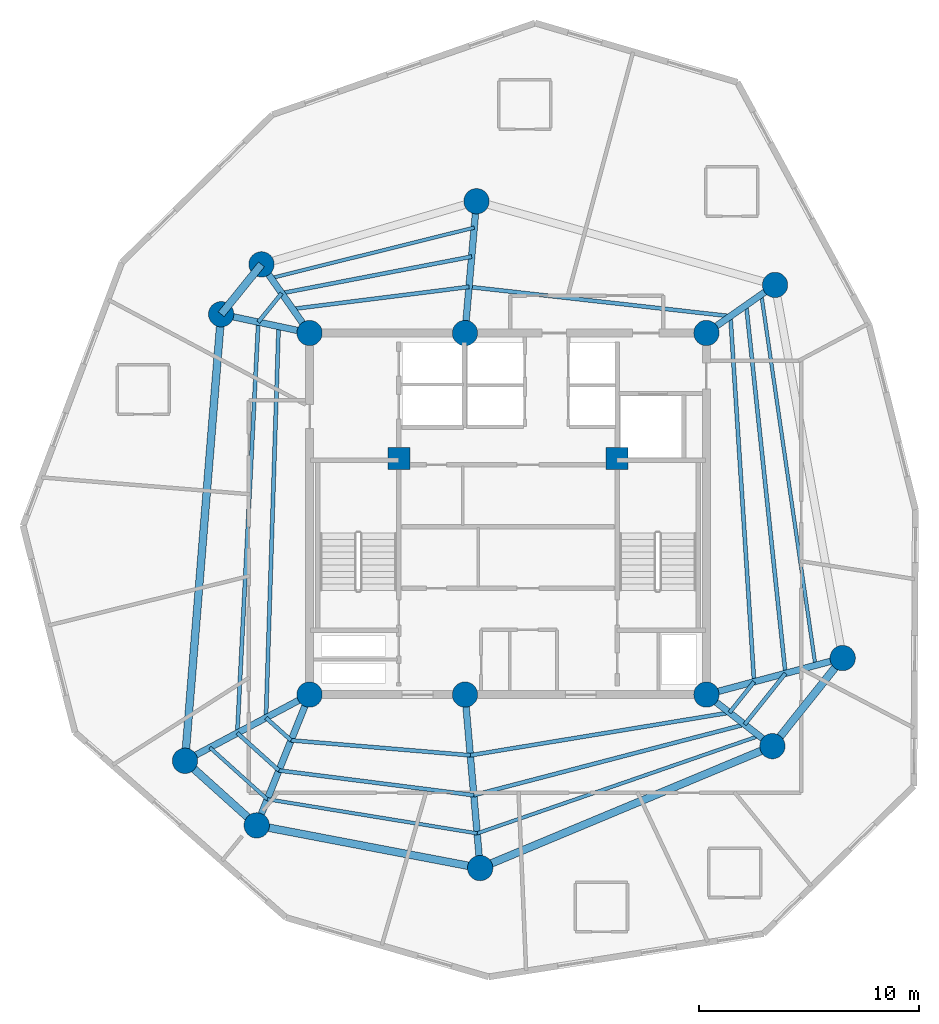
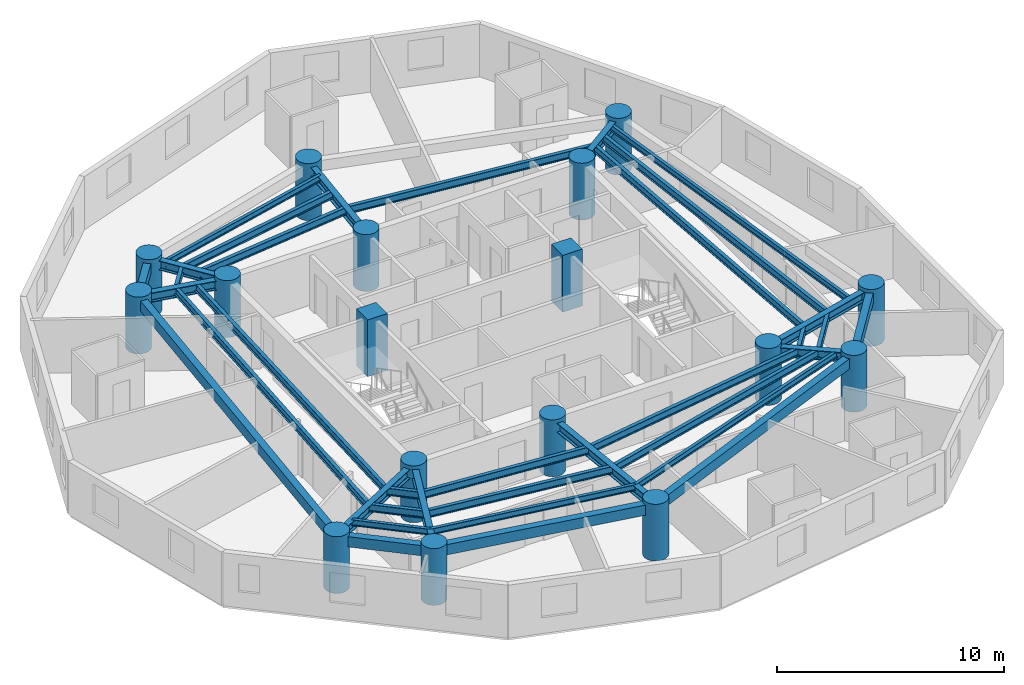
# One storey, part 1 of 7: 36 beams, 17 columns.
"""IFC4 building model written with IfcOpenShell, lengths in metres."""

from ifc_helpers import new_model, si_unit, direction, frame, origin, origin_with_axes, origin_2d, place, context, subcontext, project, spatial, rectangle, circle, i_section, extrude, source, transform, mapped, material, material_profile, profile_set, type_object, element, save


model = new_model("IFC4")

# Units and contexts
model_context = context("Model", 3, precision=1e-05, world=origin(), true_north=direction((0.0, 1.0)))
body_context = subcontext(model_context, "Body", "Model", "MODEL_VIEW")
ifc_project = project(units=[si_unit("LENGTHUNIT", "METRE"), si_unit("AREAUNIT", "SQUARE_METRE"), si_unit("VOLUMEUNIT", "CUBIC_METRE"), si_unit("PLANEANGLEUNIT", "RADIAN"), si_unit("MASSUNIT", "GRAM", prefix="KILO")], contexts=[model_context])

# Site, building, storey
site_placement = place(None, origin())
site = spatial("IfcSite", under=ifc_project, at=site_placement, CompositionType="ELEMENT")
building_placement = place(site_placement, origin())
building = spatial("IfcBuilding", under=site, at=building_placement, Name="Karkom Vertical University and Central Library", CompositionType="ELEMENT")
storey_placement = place(building_placement, frame((0.0, 0.0, 223.0)))
storey = spatial("IfcBuildingStorey", under=building, at=storey_placement, Name="L65", CompositionType="ELEMENT", Elevation=223.0)

# Columns
ifc_material_1 = material(Name="Concrete C50/60", Category="concrete")
ifc_material_profile_1 = material_profile(ifc_material_1, rectangle(XDim=1.0, YDim=1.0, at=origin_2d()), Name="RC-1000x1000")
ifc_profile_set_1 = profile_set([ifc_material_profile_1], Name="Concrete C50/60")
column_type_1 = type_object("IfcColumnType", Name="STR-COL-C-CC2", PredefinedType="COLUMN", material=ifc_profile_set_1)
shared_shape_1 = source(origin_with_axes(), body_context, "Body", "SweptSolid", [
    extrude(rectangle(XDim=1.0, YDim=1.0, at=origin_2d()), origin(), (0.0, 0.0, 1.0), 3.050048828125),
])
for number, where, z_axis, x_axis, name in (
    (1, (23.550048828125, 29.0, 0.0), (0.0, 0.0, 1.0), (1.0, 0.0, 0.0), "Level 65 Core Node Column CC-1"),
    (2, (33.449951171875, 29.0, 0.0), (0.0, 0.0, 1.0), (1.0, 0.0, 0.0), "Level 65 Core Node Column CC-2"),
):
    element("IfcColumn", number, at=place(storey_placement, frame(where, z_axis=z_axis, x_axis=x_axis)), inside=storey, type_object=column_type_1, Name=name, PredefinedType="COLUMN", context=body_context, shape_type="MappedRepresentation", body=[
        mapped(shared_shape_1, transform((0.0, 0.0, 0.0), scale=1.0)),
    ])
ifc_material_2 = material(Name="Concrete C45/55", Category="concrete")
ifc_material_profile_2 = material_profile(ifc_material_2, circle(Radius=0.574951171875, at=origin_2d()), Name="CFT-D1150")
ifc_profile_set_2 = profile_set([ifc_material_profile_2], Name="Concrete C45/55")
column_type_2 = type_object("IfcColumnType", Name="STR-COL-C-SC5", PredefinedType="COLUMN", material=ifc_profile_set_2)
shared_shape_2 = source(origin_with_axes(), body_context, "Body", "SweptSolid", [
    extrude(circle(Radius=0.574951171875, at=origin_2d()), origin(), (0.0, 0.0, 1.0), 3.050048828125),
])
for number, where, z_axis, x_axis, name in (
    (3, (19.5, 18.300048828125, 0.0), (0.0, 0.0, 1.0), (1.0, 0.0, 0.0), "Level 65 Spine Mega-Column SC-1"),
    (4, (26.550048828125, 18.300048828125, 0.0), (0.0, 0.0, 1.0), (1.0, 0.0, 0.0), "Level 65 Spine Mega-Column SC-2"),
    (5, (37.5, 18.300048828125, 0.0), (0.0, 0.0, 1.0), (1.0, 0.0, 0.0), "Level 65 Spine Mega-Column SC-3"),
    (6, (19.5, 34.699951171875, 0.0), (0.0, 0.0, 1.0), (1.0, 0.0, 0.0), "Level 65 Spine Mega-Column SC-4"),
    (7, (26.550048828125, 34.699951171875, 0.0), (0.0, 0.0, 1.0), (1.0, 0.0, 0.0), "Level 65 Spine Mega-Column SC-5"),
    (8, (37.5, 34.699951171875, 0.0), (0.0, 0.0, 1.0), (1.0, 0.0, 0.0), "Level 65 Spine Mega-Column SC-6"),
    (9, (43.681884765625, 19.9560546875, 0.0), (0.0, 0.0, 1.0), (1.0, 0.0, 0.0), "Level 65 Perimeter Mega-Column Z4-PC1"),
    (10, (40.613037109375, 36.8798828125, 0.0), (0.0, 0.0, 1.0), (1.0, 0.0, 0.0), "Level 65 Perimeter Mega-Column Z4-PC2"),
    (11, (27.072998046875, 40.677001953125, 0.0), (0.0, 0.0, 1.0), (1.0, 0.0, 0.0), "Level 65 Perimeter Mega-Column Z4-PC3"),
    (12, (17.320068359375, 37.81298828125, 0.0), (0.0, 0.0, 1.0), (1.0, 0.0, 0.0), "Level 65 Perimeter Mega-Column Z4-PC4"),
    (13, (15.489990234375, 35.552001953125, 0.0), (0.0, 0.0, 1.0), (1.0, 0.0, 0.0), "Level 65 Perimeter Mega-Column Z4-PC5"),
    (14, (13.84912109375, 15.294921875, 0.0), (0.0, 0.0, 1.0), (1.0, 0.0, 0.0), "Level 65 Perimeter Mega-Column Z4-PC6"),
    (15, (17.10302734375, 12.365966796875, 0.0), (0.0, 0.0, 1.0), (1.0, 0.0, 0.0), "Level 65 Perimeter Mega-Column Z4-PC7"),
    (16, (27.239013671875, 10.429931640625, 0.0), (0.0, 0.0, 1.0), (1.0, 0.0, 0.0), "Level 65 Perimeter Mega-Column Z4-PC8"),
    (17, (40.493896484375, 15.9599609375, 0.0), (0.0, 0.0, 1.0), (1.0, 0.0, 0.0), "Level 65 Perimeter Mega-Column Z4-PC9"),
):
    element("IfcColumn", number, at=place(storey_placement, frame(where, z_axis=z_axis, x_axis=x_axis)), inside=storey, type_object=column_type_2, Name=name, PredefinedType="COLUMN", context=body_context, shape_type="MappedRepresentation", body=[
        mapped(shared_shape_2, transform((0.0, 0.0, 0.0), scale=1.0)),
    ])

# Beams
ifc_material_3 = material(Name="Precast concrete C45/55", Category="concrete")
ifc_material_profile_3 = material_profile(ifc_material_3, rectangle(XDim=0.35009765625, YDim=0.550048828125, at=origin_2d()), Name="SPB-350x550")
ifc_profile_set_3 = profile_set([ifc_material_profile_3], Name="Precast concrete C45/55")
beam_type_1 = type_object("IfcBeamType", Name="STR-BM-SP-2", PredefinedType="SPANDREL", material=ifc_profile_set_3)
shared_shape_3 = source(origin_with_axes(), body_context, "Body", "SweptSolid", [
    extrude(rectangle(XDim=0.35009765625, YDim=0.550048828125, at=origin_2d()), origin(), (0.0, 0.0, 1.0), 2.908935546875),
])
beam_1_placement = place(storey_placement, frame((17.320068359375, 37.81298828125, 2.574951171875), z_axis=(-0.629147523747, -0.777285914811, 0.0), x_axis=(0.777285914811, -0.629147523747, 0.0)))
element("IfcBeam", 18, at=beam_1_placement, inside=storey, type_object=beam_type_1, Name="Level 65 Perimeter Spandrel Beam 04", PredefinedType="SPANDREL", context=body_context, shape_type="MappedRepresentation", body=[
    mapped(shared_shape_3, transform((0.0, 0.0, 0.0), scale=1.0)),
])
shared_shape_4 = source(origin_with_axes(), body_context, "Body", "SweptSolid", [
    extrude(rectangle(XDim=0.35009765625, YDim=0.550048828125, at=origin_2d()), origin(), (0.0, 0.0, 1.0), 20.323486328125),
])
beam_2_placement = place(storey_placement, frame((15.489990234375, 35.552001953125, 2.574951171875), z_axis=(-0.080737811681, -0.996735373991, 0.0), x_axis=(0.996735373991, -0.080737811681, 0.0)))
element("IfcBeam", 19, at=beam_2_placement, inside=storey, type_object=beam_type_1, Name="Level 65 Perimeter Spandrel Beam 05", PredefinedType="SPANDREL", context=body_context, shape_type="MappedRepresentation", body=[
    mapped(shared_shape_4, transform((0.0, 0.0, 0.0), scale=1.0)),
])
shared_shape_5 = source(origin_with_axes(), body_context, "Body", "SweptSolid", [
    extrude(rectangle(XDim=0.35009765625, YDim=0.550048828125, at=origin_2d()), origin(), (0.0, 0.0, 1.0), 4.3779296875),
])
beam_3_placement = place(storey_placement, frame((13.84912109375, 15.294921875, 2.574951171875), z_axis=(0.743244232405, -0.669020187287, 0.0), x_axis=(0.669020187287, 0.743244232405, 0.0)))
element("IfcBeam", 20, at=beam_3_placement, inside=storey, type_object=beam_type_1, Name="Level 65 Perimeter Spandrel Beam 06", PredefinedType="SPANDREL", context=body_context, shape_type="MappedRepresentation", body=[
    mapped(shared_shape_5, transform((0.0, 0.0, 0.0), scale=1.0)),
])
shared_shape_6 = source(origin_with_axes(), body_context, "Body", "SweptSolid", [
    extrude(rectangle(XDim=0.35009765625, YDim=0.550048828125, at=origin_2d()), origin(), (0.0, 0.0, 1.0), 10.3193359375),
])
beam_4_placement = place(storey_placement, frame((17.10302734375, 12.365966796875, 2.574951171875), z_axis=(0.982242767385, -0.187614354249, 0.0), x_axis=(0.187614354249, 0.982242767385, 0.0)))
element("IfcBeam", 21, at=beam_4_placement, inside=storey, type_object=beam_type_1, Name="Level 65 Perimeter Spandrel Beam 07", PredefinedType="SPANDREL", context=body_context, shape_type="MappedRepresentation", body=[
    mapped(shared_shape_6, transform((0.0, 0.0, 0.0), scale=1.0)),
])
shared_shape_7 = source(origin_with_axes(), body_context, "Body", "SweptSolid", [
    extrude(rectangle(XDim=0.35009765625, YDim=0.550048828125, at=origin_2d()), origin(), (0.0, 0.0, 1.0), 14.3623046875),
])
beam_5_placement = place(storey_placement, frame((27.239013671875, 10.429931640625, 2.574951171875), z_axis=(0.922899796194, 0.385040213725, 0.0), x_axis=(-0.385040213725, 0.922899796194, 0.0)))
element("IfcBeam", 22, at=beam_5_placement, inside=storey, type_object=beam_type_1, Name="Level 65 Perimeter Spandrel Beam 08", PredefinedType="SPANDREL", context=body_context, shape_type="MappedRepresentation", body=[
    mapped(shared_shape_7, transform((0.0, 0.0, 0.0), scale=1.0)),
])
shared_shape_8 = source(origin_with_axes(), body_context, "Body", "SweptSolid", [
    extrude(rectangle(XDim=0.35009765625, YDim=0.550048828125, at=origin_2d()), origin(), (0.0, 0.0, 1.0), 5.112060546875),
])
beam_6_placement = place(storey_placement, frame((40.493896484375, 15.9599609375, 2.574951171875), z_axis=(0.623634459503, 0.78171609995, 0.0), x_axis=(-0.78171609995, 0.623634459503, 0.0)))
element("IfcBeam", 23, at=beam_6_placement, inside=storey, type_object=beam_type_1, Name="Level 65 Perimeter Spandrel Beam 09", PredefinedType="SPANDREL", context=body_context, shape_type="MappedRepresentation", body=[
    mapped(shared_shape_8, transform((0.0, 0.0, 0.0), scale=1.0)),
])
ifc_material_4 = material(Name="Steel S355", Category="steel")
ifc_material_profile_4 = material_profile(ifc_material_4, i_section(OverallWidth=0.179931640625, OverallDepth=0.39990234375, WebThickness=0.008544921875, FlangeThickness=0.013427734375, FilletRadius=0.02099609375, at=origin_2d()), Name="IPE 400")
ifc_profile_set_4 = profile_set([ifc_material_profile_4], Name="Steel S355")
beam_type_2 = type_object("IfcBeamType", Name="STR-BM-SB-IPE400", PredefinedType="BEAM", material=ifc_profile_set_4)
shared_shape_9 = source(origin_with_axes(), body_context, "Body", "SweptSolid", [
    extrude(i_section(OverallWidth=0.179931640625, OverallDepth=0.39990234375, WebThickness=0.008544921875, FlangeThickness=0.013427734375, FilletRadius=0.02099609375, at=origin_2d()), origin(), (0.0, 0.0, 1.0), 16.617919921875),
])
beam_7_placement = place(storey_placement, frame((39.663818359375, 18.879638671875, 2.64990234375), z_axis=(-0.064641848008, 0.997908528617, 0.0), x_axis=(-0.997908528617, -0.064641848008, 0.0)))
element("IfcBeam", 24, at=beam_7_placement, inside=storey, type_object=beam_type_2, Name="Level 65 Secondary Composite Floor Beam 1.01", PredefinedType="BEAM", context=body_context, shape_type="MappedRepresentation", body=[
    mapped(shared_shape_9, transform((0.0, 0.0, 0.0), scale=1.0)),
])
shared_shape_10 = source(origin_with_axes(), body_context, "Body", "SweptSolid", [
    extrude(i_section(OverallWidth=0.179931640625, OverallDepth=0.39990234375, WebThickness=0.008544921875, FlangeThickness=0.013427734375, FilletRadius=0.02099609375, at=origin_2d()), origin(), (0.0, 0.0, 1.0), 11.9306640625),
])
beam_8_placement = place(storey_placement, frame((38.589599609375, 35.462890625, 2.64990234375), z_axis=(-0.993775454886, 0.11140172919, 0.0), x_axis=(-0.11140172919, -0.993775454886, 0.0)))
element("IfcBeam", 25, at=beam_8_placement, inside=storey, type_object=beam_type_2, Name="Level 65 Secondary Composite Floor Beam 1.02", PredefinedType="BEAM", context=body_context, shape_type="MappedRepresentation", body=[
    mapped(shared_shape_10, transform((0.0, 0.0, 0.0), scale=1.0)),
])
shared_shape_11 = source(origin_with_axes(), body_context, "Body", "SweptSolid", [
    extrude(i_section(OverallWidth=0.179931640625, OverallDepth=0.39990234375, WebThickness=0.008544921875, FlangeThickness=0.013427734375, FilletRadius=0.02099609375, at=origin_2d()), origin(), (0.0, 0.0, 1.0), 8.05859375),
])
beam_9_placement = place(storey_placement, frame((26.733154296875, 36.7919921875, 2.64990234375), z_axis=(-0.99223306826, -0.124392677646, 0.0), x_axis=(0.124392677646, -0.99223306826, 0.0)))
element("IfcBeam", 26, at=beam_9_placement, inside=storey, type_object=beam_type_2, Name="Level 65 Secondary Composite Floor Beam 1.03", PredefinedType="BEAM", context=body_context, shape_type="MappedRepresentation", body=[
    mapped(shared_shape_11, transform((0.0, 0.0, 0.0), scale=1.0)),
])
shared_shape_12 = source(origin_with_axes(), body_context, "Body", "SweptSolid", [
    extrude(i_section(OverallWidth=0.179931640625, OverallDepth=0.39990234375, WebThickness=0.008544921875, FlangeThickness=0.013427734375, FilletRadius=0.02099609375, at=origin_2d()), origin(), (0.0, 0.0, 1.0), 17.75927734375),
])
beam_10_placement = place(storey_placement, frame((18.096435546875, 34.998291015625, 2.64990234375), z_axis=(-0.032333437334, -0.999477137723, 0.0), x_axis=(0.999477137723, -0.032333437334, 0.0)))
element("IfcBeam", 27, at=beam_10_placement, inside=storey, type_object=beam_type_2, Name="Level 65 Secondary Composite Floor Beam 1.05", PredefinedType="BEAM", context=body_context, shape_type="MappedRepresentation", body=[
    mapped(shared_shape_12, transform((0.0, 0.0, 0.0), scale=1.0)),
])
shared_shape_13 = source(origin_with_axes(), body_context, "Body", "SweptSolid", [
    extrude(i_section(OverallWidth=0.179931640625, OverallDepth=0.39990234375, WebThickness=0.008544921875, FlangeThickness=0.013427734375, FilletRadius=0.02099609375, at=origin_2d()), origin(), (0.0, 0.0, 1.0), 1.5322265625),
])
beam_11_placement = place(storey_placement, frame((17.522216796875, 17.248291015625, 2.64990234375), z_axis=(0.743183211059, -0.669087972392, 0.0), x_axis=(0.669087972392, 0.743183211059, 0.0)))
element("IfcBeam", 28, at=beam_11_placement, inside=storey, type_object=beam_type_2, Name="Level 65 Secondary Composite Floor Beam 1.06", PredefinedType="BEAM", context=body_context, shape_type="MappedRepresentation", body=[
    mapped(shared_shape_13, transform((0.0, 0.0, 0.0), scale=1.0)),
])
shared_shape_14 = source(origin_with_axes(), body_context, "Body", "SweptSolid", [
    extrude(i_section(OverallWidth=0.179931640625, OverallDepth=0.39990234375, WebThickness=0.008544921875, FlangeThickness=0.013427734375, FilletRadius=0.02099609375, at=origin_2d()), origin(), (0.0, 0.0, 1.0), 8.15869140625),
])
beam_12_placement = place(storey_placement, frame((18.660888671875, 16.22314453125, 2.64990234375), z_axis=(0.996543694183, -0.083070244882, 0.0), x_axis=(0.083070244882, 0.996543694183, 0.0)))
element("IfcBeam", 29, at=beam_12_placement, inside=storey, type_object=beam_type_2, Name="Level 65 Secondary Composite Floor Beam 1.07", PredefinedType="BEAM", context=body_context, shape_type="MappedRepresentation", body=[
    mapped(shared_shape_14, transform((0.0, 0.0, 0.0), scale=1.0)),
])
shared_shape_15 = source(origin_with_axes(), body_context, "Body", "SweptSolid", [
    extrude(i_section(OverallWidth=0.179931640625, OverallDepth=0.39990234375, WebThickness=0.008544921875, FlangeThickness=0.013427734375, FilletRadius=0.02099609375, at=origin_2d()), origin(), (0.0, 0.0, 1.0), 11.914794921875),
])
beam_13_placement = place(storey_placement, frame((26.791259765625, 15.54541015625, 2.64990234375), z_axis=(0.986717073469, 0.162448197663, 0.0), x_axis=(-0.162448197663, 0.986717073469, 0.0)))
element("IfcBeam", 30, at=beam_13_placement, inside=storey, type_object=beam_type_2, Name="Level 65 Secondary Composite Floor Beam 1.08", PredefinedType="BEAM", context=body_context, shape_type="MappedRepresentation", body=[
    mapped(shared_shape_15, transform((0.0, 0.0, 0.0), scale=1.0)),
])
shared_shape_16 = source(origin_with_axes(), body_context, "Body", "SweptSolid", [
    extrude(i_section(OverallWidth=0.179931640625, OverallDepth=0.39990234375, WebThickness=0.008544921875, FlangeThickness=0.013427734375, FilletRadius=0.02099609375, at=origin_2d()), origin(), (0.0, 0.0, 1.0), 1.789306640625),
])
beam_14_placement = place(storey_placement, frame((38.5478515625, 17.48095703125, 2.64990234375), z_axis=(0.623679519349, 0.781680150154, 0.0), x_axis=(-0.781680150154, 0.623679519349, 0.0)))
element("IfcBeam", 31, at=beam_14_placement, inside=storey, type_object=beam_type_2, Name="Level 65 Secondary Composite Floor Beam 1.09", PredefinedType="BEAM", context=body_context, shape_type="MappedRepresentation", body=[
    mapped(shared_shape_16, transform((0.0, 0.0, 0.0), scale=1.0)),
])
shared_shape_17 = source(origin_with_axes(), body_context, "Body", "SweptSolid", [
    extrude(i_section(OverallWidth=0.179931640625, OverallDepth=0.39990234375, WebThickness=0.008544921875, FlangeThickness=0.013427734375, FilletRadius=0.02099609375, at=origin_2d()), origin(), (0.0, 0.0, 1.0), 16.79833984375),
])
beam_15_placement = place(storey_placement, frame((41.085693359375, 19.260498046875, 2.64990234375), z_axis=(-0.105978377704, 0.994368434464, 0.0), x_axis=(-0.994368434464, -0.105978377704, 0.0)))
element("IfcBeam", 32, at=beam_15_placement, inside=storey, type_object=beam_type_2, Name="Level 65 Secondary Composite Floor Beam 2.01", PredefinedType="BEAM", context=body_context, shape_type="MappedRepresentation", body=[
    mapped(shared_shape_17, transform((0.0, 0.0, 0.0), scale=1.0)),
])
shared_shape_18 = source(origin_with_axes(), body_context, "Body", "SweptSolid", [
    extrude(i_section(OverallWidth=0.179931640625, OverallDepth=0.39990234375, WebThickness=0.008544921875, FlangeThickness=0.013427734375, FilletRadius=0.02099609375, at=origin_2d()), origin(), (0.0, 0.0, 1.0), 8.7763671875),
])
beam_16_placement = place(storey_placement, frame((26.853271484375, 38.166748046875, 2.64990234375), z_axis=(-0.981924209256, -0.189274528862, 0.0), x_axis=(0.189274528862, -0.981924209256, 0.0)))
element("IfcBeam", 33, at=beam_16_placement, inside=storey, type_object=beam_type_2, Name="Level 65 Secondary Composite Floor Beam 2.03", PredefinedType="BEAM", context=body_context, shape_type="MappedRepresentation", body=[
    mapped(shared_shape_18, transform((0.0, 0.0, 0.0), scale=1.0)),
])
shared_shape_19 = source(origin_with_axes(), body_context, "Body", "SweptSolid", [
    extrude(i_section(OverallWidth=0.179931640625, OverallDepth=0.39990234375, WebThickness=0.008544921875, FlangeThickness=0.013427734375, FilletRadius=0.02099609375, at=origin_2d()), origin(), (0.0, 0.0, 1.0), 1.68701171875),
])
beam_17_placement = place(storey_placement, frame((18.235595703125, 36.505615234375, 2.64990234375), z_axis=(-0.629044191861, -0.777369541908, 0.0), x_axis=(0.777369541908, -0.629044191861, 0.0)))
element("IfcBeam", 34, at=beam_17_placement, inside=storey, type_object=beam_type_2, Name="Level 65 Secondary Composite Floor Beam 2.04", PredefinedType="BEAM", context=body_context, shape_type="MappedRepresentation", body=[
    mapped(shared_shape_19, transform((0.0, 0.0, 0.0), scale=1.0)),
])
shared_shape_20 = source(origin_with_axes(), body_context, "Body", "SweptSolid", [
    extrude(i_section(OverallWidth=0.179931640625, OverallDepth=0.39990234375, WebThickness=0.008544921875, FlangeThickness=0.013427734375, FilletRadius=0.02099609375, at=origin_2d()), origin(), (0.0, 0.0, 1.0), 18.661376953125),
])
beam_18_placement = place(storey_placement, frame((17.17431640625, 35.194091796875, 2.64990234375), z_axis=(-0.051009656211, -0.998698160093, 0.0), x_axis=(0.998698160093, -0.051009656211, 0.0)))
element("IfcBeam", 35, at=beam_18_placement, inside=storey, type_object=beam_type_2, Name="Level 65 Secondary Composite Floor Beam 2.05", PredefinedType="BEAM", context=body_context, shape_type="MappedRepresentation", body=[
    mapped(shared_shape_20, transform((0.0, 0.0, 0.0), scale=1.0)),
])
shared_shape_21 = source(origin_with_axes(), body_context, "Body", "SweptSolid", [
    extrude(i_section(OverallWidth=0.179931640625, OverallDepth=0.39990234375, WebThickness=0.008544921875, FlangeThickness=0.013427734375, FilletRadius=0.02099609375, at=origin_2d()), origin(), (0.0, 0.0, 1.0), 2.5390625),
])
beam_19_placement = place(storey_placement, frame((16.222412109375, 16.55712890625, 2.64990234375), z_axis=(0.743246334517, -0.669017851949, 0.0), x_axis=(0.669017851949, 0.743246334517, 0.0)))
element("IfcBeam", 36, at=beam_19_placement, inside=storey, type_object=beam_type_2, Name="Level 65 Secondary Composite Floor Beam 2.06", PredefinedType="BEAM", context=body_context, shape_type="MappedRepresentation", body=[
    mapped(shared_shape_21, transform((0.0, 0.0, 0.0), scale=1.0)),
])
shared_shape_22 = source(origin_with_axes(), body_context, "Body", "SweptSolid", [
    extrude(i_section(OverallWidth=0.179931640625, OverallDepth=0.39990234375, WebThickness=0.008544921875, FlangeThickness=0.013427734375, FilletRadius=0.02099609375, at=origin_2d()), origin(), (0.0, 0.0, 1.0), 8.9111328125),
])
beam_20_placement = place(storey_placement, frame((18.109619140625, 14.8583984375, 2.64990234375), z_axis=(0.992026771403, -0.126027317751, 0.0), x_axis=(0.126027317751, 0.992026771403, 0.0)))
element("IfcBeam", 37, at=beam_20_placement, inside=storey, type_object=beam_type_2, Name="Level 65 Secondary Composite Floor Beam 2.07", PredefinedType="BEAM", context=body_context, shape_type="MappedRepresentation", body=[
    mapped(shared_shape_22, transform((0.0, 0.0, 0.0), scale=1.0)),
])
shared_shape_23 = source(origin_with_axes(), body_context, "Body", "SweptSolid", [
    extrude(i_section(OverallWidth=0.179931640625, OverallDepth=0.39990234375, WebThickness=0.008544921875, FlangeThickness=0.013427734375, FilletRadius=0.02099609375, at=origin_2d()), origin(), (0.0, 0.0, 1.0), 12.69873046875),
])
beam_21_placement = place(storey_placement, frame((26.94970703125, 13.7353515625, 2.64990234375), z_axis=(0.967573974729, 0.252587813301, 0.0), x_axis=(-0.252587813301, 0.967573974729, 0.0)))
element("IfcBeam", 38, at=beam_21_placement, inside=storey, type_object=beam_type_2, Name="Level 65 Secondary Composite Floor Beam 2.08", PredefinedType="BEAM", context=body_context, shape_type="MappedRepresentation", body=[
    mapped(shared_shape_23, transform((0.0, 0.0, 0.0), scale=1.0)),
])
shared_shape_24 = source(origin_with_axes(), body_context, "Body", "SweptSolid", [
    extrude(i_section(OverallWidth=0.179931640625, OverallDepth=0.39990234375, WebThickness=0.008544921875, FlangeThickness=0.013427734375, FilletRadius=0.02099609375, at=origin_2d()), origin(), (0.0, 0.0, 1.0), 2.96484375),
])
beam_22_placement = place(storey_placement, frame((39.236572265625, 16.94287109375, 2.64990234375), z_axis=(0.623670236397, 0.781687556657, 0.0), x_axis=(-0.781687556657, 0.623670236397, 0.0)))
element("IfcBeam", 39, at=beam_22_placement, inside=storey, type_object=beam_type_2, Name="Level 65 Secondary Composite Floor Beam 2.09", PredefinedType="BEAM", context=body_context, shape_type="MappedRepresentation", body=[
    mapped(shared_shape_24, transform((0.0, 0.0, 0.0), scale=1.0)),
])
ifc_material_profile_5 = material_profile(ifc_material_4, i_section(OverallWidth=0.159912109375, OverallDepth=0.330078125, WebThickness=0.007568359375, FlangeThickness=0.011474609375, FilletRadius=0.01806640625, at=origin_2d()), Name="IPE 330")
ifc_profile_set_5 = profile_set([ifc_material_profile_5], Name="Steel S355")
beam_type_3 = type_object("IfcBeamType", Name="STR-BM-SB-IPE330", PredefinedType="BEAM", material=ifc_profile_set_5)
shared_shape_25 = source(origin_with_axes(), body_context, "Body", "SweptSolid", [
    extrude(i_section(OverallWidth=0.159912109375, OverallDepth=0.330078125, WebThickness=0.007568359375, FlangeThickness=0.011474609375, FilletRadius=0.01806640625, at=origin_2d()), origin(), (0.0, 0.0, 1.0), 16.99755859375),
])
beam_23_placement = place(storey_placement, frame((42.445556640625, 19.624755859375, 2.68505859375), z_axis=(-0.144436985275, 0.98951400055, 0.0), x_axis=(-0.98951400055, -0.144436985275, 0.0)))
element("IfcBeam", 40, at=beam_23_placement, inside=storey, type_object=beam_type_3, Name="Level 65 Secondary Composite Floor Beam 3.01", PredefinedType="BEAM", context=body_context, shape_type="MappedRepresentation", body=[
    mapped(shared_shape_25, transform((0.0, 0.0, 0.0), scale=1.0)),
])
shared_shape_26 = source(origin_with_axes(), body_context, "Body", "SweptSolid", [
    extrude(i_section(OverallWidth=0.159912109375, OverallDepth=0.330078125, WebThickness=0.007568359375, FlangeThickness=0.011474609375, FilletRadius=0.01806640625, at=origin_2d()), origin(), (0.0, 0.0, 1.0), 9.4931640625),
])
beam_24_placement = place(storey_placement, frame((26.968505859375, 39.481689453125, 2.68505859375), z_axis=(-0.970435275293, -0.241361505767, 0.0), x_axis=(0.241361505767, -0.970435275293, 0.0)))
element("IfcBeam", 41, at=beam_24_placement, inside=storey, type_object=beam_type_3, Name="Level 65 Secondary Composite Floor Beam 3.03", PredefinedType="BEAM", context=body_context, shape_type="MappedRepresentation", body=[
    mapped(shared_shape_26, transform((0.0, 0.0, 0.0), scale=1.0)),
])
shared_shape_27 = source(origin_with_axes(), body_context, "Body", "SweptSolid", [
    extrude(i_section(OverallWidth=0.159912109375, OverallDepth=0.330078125, WebThickness=0.007568359375, FlangeThickness=0.011474609375, FilletRadius=0.01806640625, at=origin_2d()), origin(), (0.0, 0.0, 1.0), 3.50244140625),
])
beam_25_placement = place(storey_placement, frame((14.979248046875, 15.89599609375, 2.68505859375), z_axis=(0.743249087562, -0.669014793437, 0.0), x_axis=(0.669014793437, 0.743249087562, 0.0)))
element("IfcBeam", 42, at=beam_25_placement, inside=storey, type_object=beam_type_3, Name="Level 65 Secondary Composite Floor Beam 3.06", PredefinedType="BEAM", context=body_context, shape_type="MappedRepresentation", body=[
    mapped(shared_shape_27, transform((0.0, 0.0, 0.0), scale=1.0)),
])
shared_shape_28 = source(origin_with_axes(), body_context, "Body", "SweptSolid", [
    extrude(i_section(OverallWidth=0.159912109375, OverallDepth=0.330078125, WebThickness=0.007568359375, FlangeThickness=0.011474609375, FilletRadius=0.01806640625, at=origin_2d()), origin(), (0.0, 0.0, 1.0), 9.64404296875),
])
beam_26_placement = place(storey_placement, frame((17.58251953125, 13.552734375, 2.68505859375), z_axis=(0.987019497924, -0.160600469231, 0.0), x_axis=(0.160600469231, 0.987019497924, 0.0)))
element("IfcBeam", 43, at=beam_26_placement, inside=storey, type_object=beam_type_3, Name="Level 65 Secondary Composite Floor Beam 3.07", PredefinedType="BEAM", context=body_context, shape_type="MappedRepresentation", body=[
    mapped(shared_shape_28, transform((0.0, 0.0, 0.0), scale=1.0)),
])
shared_shape_29 = source(origin_with_axes(), body_context, "Body", "SweptSolid", [
    extrude(i_section(OverallWidth=0.159912109375, OverallDepth=0.330078125, WebThickness=0.007568359375, FlangeThickness=0.011474609375, FilletRadius=0.01806640625, at=origin_2d()), origin(), (0.0, 0.0, 1.0), 13.537353515625),
])
beam_27_placement = place(storey_placement, frame((27.101318359375, 12.00390625, 2.68505859375), z_axis=(0.945091088216, 0.32680703018, 0.0), x_axis=(-0.32680703018, 0.945091088216, 0.0)))
element("IfcBeam", 44, at=beam_27_placement, inside=storey, type_object=beam_type_3, Name="Level 65 Secondary Composite Floor Beam 3.08", PredefinedType="BEAM", context=body_context, shape_type="MappedRepresentation", body=[
    mapped(shared_shape_29, transform((0.0, 0.0, 0.0), scale=1.0)),
])
ifc_material_profile_6 = material_profile(ifc_material_4, i_section(OverallWidth=0.300048828125, OverallDepth=0.5, WebThickness=0.014404296875, FlangeThickness=0.028076171875, FilletRadius=0.027099609375, at=origin_2d()), Name="HE 500 B")
ifc_profile_set_6 = profile_set([ifc_material_profile_6], Name="Steel S355")
beam_type_4 = type_object("IfcBeamType", Name="STR-BM-SB-HE500", PredefinedType="USERDEFINED", material=ifc_profile_set_6)
shared_shape_30 = source(origin_with_axes(), body_context, "Body", "SweptSolid", [
    extrude(i_section(OverallWidth=0.300048828125, OverallDepth=0.5, WebThickness=0.014404296875, FlangeThickness=0.028076171875, FilletRadius=0.027099609375, at=origin_2d()), origin(), (0.0, 0.0, 1.0), 6.39990234375),
])
for number, where, z_axis, x_axis, name in (
    (45, (37.5, 18.300048828125, 2.60009765625), (0.965942432948, 0.258757060254, 0.0), (-0.258757060254, 0.965942432948, 0.0), "Level 65 Radial Frame Girder 01"),
    (46, (19.5, 18.300048828125, 2.60009765625), (-0.374532429749, -0.927213815183, 0.0), (0.927213815183, -0.374532429749, 0.0), "Level 65 Radial Frame Girder 07"),
):
    element("IfcBeam", number, at=place(storey_placement, frame(where, z_axis=z_axis, x_axis=x_axis)), inside=storey, type_object=beam_type_4, Name=name, ObjectType="GIRDER", PredefinedType="USERDEFINED", context=body_context, shape_type="MappedRepresentation", body=[
        mapped(shared_shape_30, transform((0.0, 0.0, 0.0), scale=1.0)),
    ])
shared_shape_31 = source(origin_with_axes(), body_context, "Body", "SweptSolid", [
    extrude(i_section(OverallWidth=0.300048828125, OverallDepth=0.5, WebThickness=0.014404296875, FlangeThickness=0.028076171875, FilletRadius=0.027099609375, at=origin_2d()), origin(), (0.0, 0.0, 1.0), 3.80029296875),
])
for number, where, z_axis, x_axis, name in (
    (47, (37.5, 34.699951171875, 2.60009765625), (0.819132313625, 0.573604613627, 0.0), (-0.573604613627, 0.819132313625, 0.0), "Level 65 Radial Frame Girder 02"),
    (48, (19.5, 34.699951171875, 2.60009765625), (-0.573604613627, 0.819132313625, 0.0), (-0.819132313625, -0.573604613627, 0.0), "Level 65 Radial Frame Girder 04"),
):
    element("IfcBeam", number, at=place(storey_placement, frame(where, z_axis=z_axis, x_axis=x_axis)), inside=storey, type_object=beam_type_4, Name=name, ObjectType="GIRDER", PredefinedType="USERDEFINED", context=body_context, shape_type="MappedRepresentation", body=[
        mapped(shared_shape_31, transform((0.0, 0.0, 0.0), scale=1.0)),
    ])
shared_shape_32 = source(origin_with_axes(), body_context, "Body", "SweptSolid", [
    extrude(i_section(OverallWidth=0.300048828125, OverallDepth=0.5, WebThickness=0.014404296875, FlangeThickness=0.028076171875, FilletRadius=0.027099609375, at=origin_2d()), origin(), (0.0, 0.0, 1.0), 6.0),
])
beam_28_placement = place(storey_placement, frame((26.550048828125, 34.699951171875, 2.60009765625), z_axis=(0.087159883478, 0.996194335816, 0.0), x_axis=(-0.996194335816, 0.087159883478, 0.0)))
element("IfcBeam", 49, at=beam_28_placement, inside=storey, type_object=beam_type_4, Name="Level 65 Radial Frame Girder 03", ObjectType="GIRDER", PredefinedType="USERDEFINED", context=body_context, shape_type="MappedRepresentation", body=[
    mapped(shared_shape_32, transform((0.0, 0.0, 0.0), scale=1.0)),
])
shared_shape_33 = source(origin_with_axes(), body_context, "Body", "SweptSolid", [
    extrude(i_section(OverallWidth=0.300048828125, OverallDepth=0.5, WebThickness=0.014404296875, FlangeThickness=0.028076171875, FilletRadius=0.027099609375, at=origin_2d()), origin(), (0.0, 0.0, 1.0), 4.099609375),
])
beam_29_placement = place(storey_placement, frame((19.5, 34.699951171875, 2.60009765625), z_axis=(-0.978162634602, 0.207840949453, 0.0), x_axis=(-0.207840949453, -0.978162634602, 0.0)))
element("IfcBeam", 50, at=beam_29_placement, inside=storey, type_object=beam_type_4, Name="Level 65 Radial Frame Girder 05", ObjectType="GIRDER", PredefinedType="USERDEFINED", context=body_context, shape_type="MappedRepresentation", body=[
    mapped(shared_shape_33, transform((0.0, 0.0, 0.0), scale=1.0)),
])
shared_shape_34 = source(origin_with_axes(), body_context, "Body", "SweptSolid", [
    extrude(i_section(OverallWidth=0.300048828125, OverallDepth=0.5, WebThickness=0.014404296875, FlangeThickness=0.028076171875, FilletRadius=0.027099609375, at=origin_2d()), origin(), (0.0, 0.0, 1.0), 6.400146484375),
])
beam_30_placement = place(storey_placement, frame((19.5, 18.300048828125, 2.60009765625), z_axis=(-0.882915120857, -0.469532628645, 0.0), x_axis=(0.469532628645, -0.882915120857, 0.0)))
element("IfcBeam", 51, at=beam_30_placement, inside=storey, type_object=beam_type_4, Name="Level 65 Radial Frame Girder 06", ObjectType="GIRDER", PredefinedType="USERDEFINED", context=body_context, shape_type="MappedRepresentation", body=[
    mapped(shared_shape_34, transform((0.0, 0.0, 0.0), scale=1.0)),
])
shared_shape_35 = source(origin_with_axes(), body_context, "Body", "SweptSolid", [
    extrude(i_section(OverallWidth=0.300048828125, OverallDepth=0.5, WebThickness=0.014404296875, FlangeThickness=0.028076171875, FilletRadius=0.027099609375, at=origin_2d()), origin(), (0.0, 0.0, 1.0), 7.900146484375),
])
beam_31_placement = place(storey_placement, frame((26.550048828125, 18.300048828125, 2.60009765625), z_axis=(0.087208352312, -0.996190093951, 0.0), x_axis=(0.996190093951, 0.087208352312, 0.0)))
element("IfcBeam", 52, at=beam_31_placement, inside=storey, type_object=beam_type_4, Name="Level 65 Radial Frame Girder 08", ObjectType="GIRDER", PredefinedType="USERDEFINED", context=body_context, shape_type="MappedRepresentation", body=[
    mapped(shared_shape_35, transform((0.0, 0.0, 0.0), scale=1.0)),
])
shared_shape_36 = source(origin_with_axes(), body_context, "Body", "SweptSolid", [
    extrude(i_section(OverallWidth=0.300048828125, OverallDepth=0.5, WebThickness=0.014404296875, FlangeThickness=0.028076171875, FilletRadius=0.027099609375, at=origin_2d()), origin(), (0.0, 0.0, 1.0), 3.7998046875),
])
beam_32_placement = place(storey_placement, frame((37.5, 18.300048828125, 2.60009765625), z_axis=(0.787883114707, -0.61582481077, 0.0), x_axis=(0.61582481077, 0.787883114707, 0.0)))
element("IfcBeam", 53, at=beam_32_placement, inside=storey, type_object=beam_type_4, Name="Level 65 Radial Frame Girder 09", ObjectType="GIRDER", PredefinedType="USERDEFINED", context=body_context, shape_type="MappedRepresentation", body=[
    mapped(shared_shape_36, transform((0.0, 0.0, 0.0), scale=1.0)),
])

save(model, "model.ifc")
